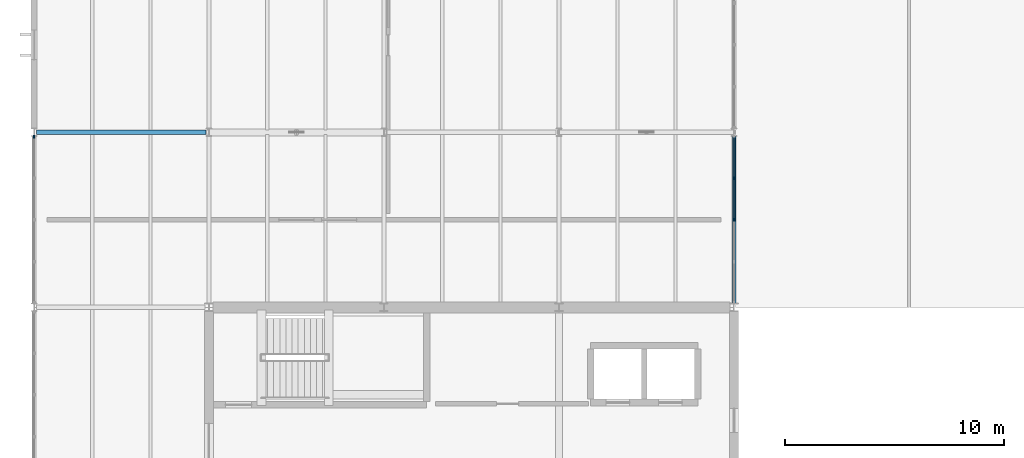
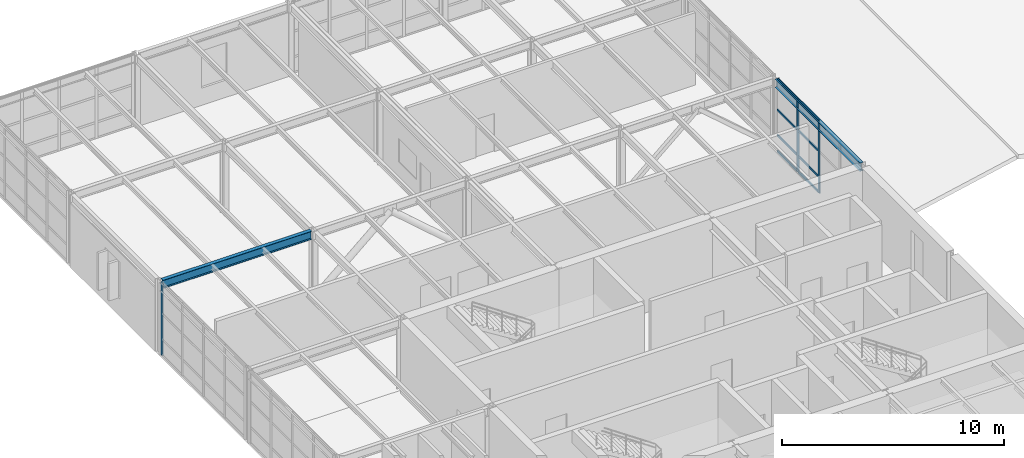
# One storey, part 8 of 20: 11 members, 2 beams, 2 elements without a shape of their own.
"""IFC4 building model written with IfcOpenShell, lengths in metres."""

from ifc_helpers import new_model, si_unit, direction, frame, origin, origin_2d, place, context, subcontext, project, spatial, rectangle, i_section, extrude, material, layer, layer_set, material_profile, profile_set, type_object, element, aggregate, save


model = new_model("IFC4")

# Units and contexts
model_context = context("Model", 3, precision=1e-05, world=origin(), true_north=direction((0.0, 1.0)))
body_context = subcontext(model_context, "Body", "Model", "MODEL_VIEW")
ifc_project = project(units=[si_unit("LENGTHUNIT", "METRE"), si_unit("AREAUNIT", "SQUARE_METRE"), si_unit("VOLUMEUNIT", "CUBIC_METRE"), si_unit("PLANEANGLEUNIT", "RADIAN"), si_unit("MASSUNIT", "GRAM", prefix="KILO")], contexts=[model_context])

# Site, building, storey
site_placement = place(None, origin())
site = spatial("IfcSite", under=ifc_project, at=site_placement, CompositionType="ELEMENT")
building_placement = place(site_placement, origin())
building = spatial("IfcBuilding", under=site, at=building_placement, Name="Varnela Railside Interchange", CompositionType="ELEMENT")
storey_placement = place(building_placement, frame((0.0, 0.0, 28.0)))
storey = spatial("IfcBuildingStorey", under=building, at=storey_placement, Name="L06", CompositionType="ELEMENT", Elevation=28.0)

# Curtain wall, member
ifc_material_1 = material(Name="Aluminium 6063-T6", Category="aluminium")
ifc_layer = layer(ifc_material_1, 0.035888671875)
ifc_layer_set = layer_set([ifc_layer], Name="Aluminium 6063-T6")
curtain_wall_type = type_object("IfcCurtainWallType", Name="Operations Wing Facade Curtain Wall CW-03", PredefinedType="USERDEFINED", material=ifc_layer_set)
curtain_wall_1_placement = place(storey_placement, origin())
curtain_wall_1 = element("IfcCurtainWall", 1, at=curtain_wall_1_placement, inside=storey, type_object=curtain_wall_type, Name="Curtain Wall CW-03 (L06) (CW-148)", ObjectType="CURTAIN WALL", PredefinedType="USERDEFINED")
ifc_material_profile_1 = material_profile(ifc_material_1, rectangle(XDim=0.06005859375, YDim=0.139892578125, at=origin_2d()), Name="ALU 60x140")
ifc_profile_set_1 = profile_set([ifc_material_profile_1], Name="Aluminium 6063-T6")
member_type_1 = type_object("IfcMemberType", Name="Curtain Wall Mullion ML-01", PredefinedType="MULLION", material=ifc_profile_set_1)
member_1_placement = place(storey_placement, frame((4.0, 77.78857421875, 0.0), z_axis=(0.0, 0.0, 1.0), x_axis=(-1.0, 0.0, 0.0)))
member_1 = element("IfcMember", 2, at=member_1_placement, type_object=member_type_1, Name="CW-03 mullion 5", PredefinedType="MULLION", context=body_context, shape_type="SweptSolid", body=[
    extrude(rectangle(XDim=0.06005859375, YDim=0.139892578125, at=origin_2d()), origin(), (0.0, 0.0, 1.0), 3.97998046875),
])
aggregate(curtain_wall_1, [member_1])

# Curtain wall, members
curtain_wall_2_placement = place(storey_placement, origin())
curtain_wall_2 = element("IfcCurtainWall", 3, at=curtain_wall_2_placement, inside=storey, type_object=curtain_wall_type, Name="Curtain Wall CW-03 (L06) (CW-143)", ObjectType="CURTAIN WALL", PredefinedType="USERDEFINED")
member_2_placement = place(storey_placement, frame((36.0, 75.908935546875, 0.0), z_axis=(0.0, 0.0, 1.0), x_axis=(1.0, 0.0, 0.0)))
member_2 = element("IfcMember", 4, at=member_2_placement, type_object=member_type_1, Name="CW-03 mullion 2", PredefinedType="MULLION", context=body_context, shape_type="SweptSolid", body=[
    extrude(rectangle(XDim=0.06005859375, YDim=0.139892578125, at=origin_2d()), origin(), (0.0, 0.0, 1.0), 3.97998046875),
])
member_3_placement = place(storey_placement, frame((36.0, 73.999267578125, 0.0), z_axis=(0.0, 0.0, 1.0), x_axis=(1.0, 0.0, 0.0)))
member_3 = element("IfcMember", 5, at=member_3_placement, type_object=member_type_1, Name="CW-03 mullion 3", PredefinedType="MULLION", context=body_context, shape_type="SweptSolid", body=[
    extrude(rectangle(XDim=0.06005859375, YDim=0.139892578125, at=origin_2d()), origin(), (0.0, 0.0, 1.0), 3.97998046875),
])
ifc_material_profile_2 = material_profile(ifc_material_1, rectangle(XDim=0.06005859375, YDim=0.110107421875, at=origin_2d()), Name="ALU 60x110")
ifc_profile_set_2 = profile_set([ifc_material_profile_2], Name="Aluminium 6063-T6")
member_type_2 = type_object("IfcMemberType", Name="Curtain Wall Transom TR-01", PredefinedType="USERDEFINED", material=ifc_profile_set_2)
member_4_placement = place(storey_placement, frame((36.0, 77.758544921875, 0.030029296875), z_axis=(0.0, -1.0, 0.0), x_axis=(1.0, 0.0, 0.0)))
member_4 = element("IfcMember", 6, at=member_4_placement, type_object=member_type_2, Name="CW-03 transom 1.1", ObjectType="TRANSOM", PredefinedType="USERDEFINED", context=body_context, shape_type="SweptSolid", body=[
    extrude(rectangle(XDim=0.06005859375, YDim=0.110107421875, at=origin_2d()), origin(), (0.0, 0.0, 1.0), 1.819580078125),
])
member_5_placement = place(storey_placement, frame((36.0, 77.758544921875, 0.89990234375), z_axis=(0.0, -1.0, 0.0), x_axis=(1.0, 0.0, 0.0)))
member_5 = element("IfcMember", 7, at=member_5_placement, type_object=member_type_2, Name="CW-03 transom 1.2", ObjectType="TRANSOM", PredefinedType="USERDEFINED", context=body_context, shape_type="SweptSolid", body=[
    extrude(rectangle(XDim=0.06005859375, YDim=0.110107421875, at=origin_2d()), origin(), (0.0, 0.0, 1.0), 1.819580078125),
])
member_6_placement = place(storey_placement, frame((36.0, 77.758544921875, 2.308349609375), z_axis=(0.0, -1.0, 0.0), x_axis=(1.0, 0.0, 0.0)))
member_6 = element("IfcMember", 8, at=member_6_placement, type_object=member_type_2, Name="CW-03 transom 1.3", ObjectType="TRANSOM", PredefinedType="USERDEFINED", context=body_context, shape_type="SweptSolid", body=[
    extrude(rectangle(XDim=0.06005859375, YDim=0.110107421875, at=origin_2d()), origin(), (0.0, 0.0, 1.0), 1.819580078125),
])
member_7_placement = place(storey_placement, frame((36.0, 77.758544921875, 3.949951171875), z_axis=(0.0, -1.0, 0.0), x_axis=(1.0, 0.0, 0.0)))
member_7 = element("IfcMember", 9, at=member_7_placement, type_object=member_type_2, Name="CW-03 transom 1.4", ObjectType="TRANSOM", PredefinedType="USERDEFINED", context=body_context, shape_type="SweptSolid", body=[
    extrude(rectangle(XDim=0.06005859375, YDim=0.110107421875, at=origin_2d()), origin(), (0.0, 0.0, 1.0), 1.819580078125),
])
member_8_placement = place(storey_placement, frame((36.0, 75.87890625, 0.030029296875), z_axis=(0.0, -1.0, 0.0), x_axis=(1.0, 0.0, 0.0)))
member_8 = element("IfcMember", 10, at=member_8_placement, type_object=member_type_2, Name="CW-03 transom 2.1", ObjectType="TRANSOM", PredefinedType="USERDEFINED", context=body_context, shape_type="SweptSolid", body=[
    extrude(rectangle(XDim=0.06005859375, YDim=0.110107421875, at=origin_2d()), origin(), (0.0, 0.0, 1.0), 1.849609375),
])
member_9_placement = place(storey_placement, frame((36.0, 75.87890625, 0.89990234375), z_axis=(0.0, -1.0, 0.0), x_axis=(1.0, 0.0, 0.0)))
member_9 = element("IfcMember", 11, at=member_9_placement, type_object=member_type_2, Name="CW-03 transom 2.2", ObjectType="TRANSOM", PredefinedType="USERDEFINED", context=body_context, shape_type="SweptSolid", body=[
    extrude(rectangle(XDim=0.06005859375, YDim=0.110107421875, at=origin_2d()), origin(), (0.0, 0.0, 1.0), 1.849609375),
])
member_10_placement = place(storey_placement, frame((36.0, 75.87890625, 2.308349609375), z_axis=(0.0, -1.0, 0.0), x_axis=(1.0, 0.0, 0.0)))
member_10 = element("IfcMember", 12, at=member_10_placement, type_object=member_type_2, Name="CW-03 transom 2.3", ObjectType="TRANSOM", PredefinedType="USERDEFINED", context=body_context, shape_type="SweptSolid", body=[
    extrude(rectangle(XDim=0.06005859375, YDim=0.110107421875, at=origin_2d()), origin(), (0.0, 0.0, 1.0), 1.849609375),
])
member_11_placement = place(storey_placement, frame((36.0, 75.87890625, 3.949951171875), z_axis=(0.0, -1.0, 0.0), x_axis=(1.0, 0.0, 0.0)))
member_11 = element("IfcMember", 13, at=member_11_placement, type_object=member_type_2, Name="CW-03 transom 2.4", ObjectType="TRANSOM", PredefinedType="USERDEFINED", context=body_context, shape_type="SweptSolid", body=[
    extrude(rectangle(XDim=0.06005859375, YDim=0.110107421875, at=origin_2d()), origin(), (0.0, 0.0, 1.0), 1.849609375),
])
aggregate(curtain_wall_2, [member_2, member_3, member_4, member_5, member_6, member_7, member_8, member_9, member_10, member_11])

# Beams
ifc_material_2 = material(Name="Steel AR 350 (350 MPa)", Category="steel")
ifc_material_profile_3 = material_profile(ifc_material_2, i_section(OverallWidth=0.19091796875, OverallDepth=0.4599609375, WebThickness=0.010009765625, FlangeThickness=0.01611328125, at=origin_2d()), Name="W460x82")
ifc_profile_set_3 = profile_set([ifc_material_profile_3], Name="Steel AR 350 (350 MPa)")
beam_type = type_object("IfcBeamType", Name="Steel Perimeter Spandrel SP-01", PredefinedType="SPANDREL", material=ifc_profile_set_3)
beam_1_placement = place(storey_placement, frame((4.12841796875, 78.0, 3.75), z_axis=(1.0, 0.0, 0.0), x_axis=(0.0, 1.0, 0.0)))
element("IfcBeam", 14, at=beam_1_placement, inside=storey, type_object=beam_type, Name="Steel Perimeter Spandrel SP-01 (L06) (BM-2686)", PredefinedType="SPANDREL", context=body_context, shape_type="SweptSolid", body=[
    extrude(i_section(OverallWidth=0.19091796875, OverallDepth=0.4599609375, WebThickness=0.010009765625, FlangeThickness=0.01611328125, at=origin_2d()), origin(), (0.0, 0.0, 1.0), 7.7431640625),
])
beam_2_placement = place(storey_placement, frame((36.0, 70.179931640625, 3.75), z_axis=(0.0, 1.0, 0.0), x_axis=(-1.0, 0.0, 0.0)))
element("IfcBeam", 15, at=beam_2_placement, inside=storey, type_object=beam_type, Name="Steel Perimeter Spandrel SP-01 (L06) (BM-2715)", PredefinedType="SPANDREL", context=body_context, shape_type="SweptSolid", body=[
    extrude(i_section(OverallWidth=0.19091796875, OverallDepth=0.4599609375, WebThickness=0.010009765625, FlangeThickness=0.01611328125, at=origin_2d()), origin(), (0.0, 0.0, 1.0), 7.638671875),
])

save(model, "model.ifc")
